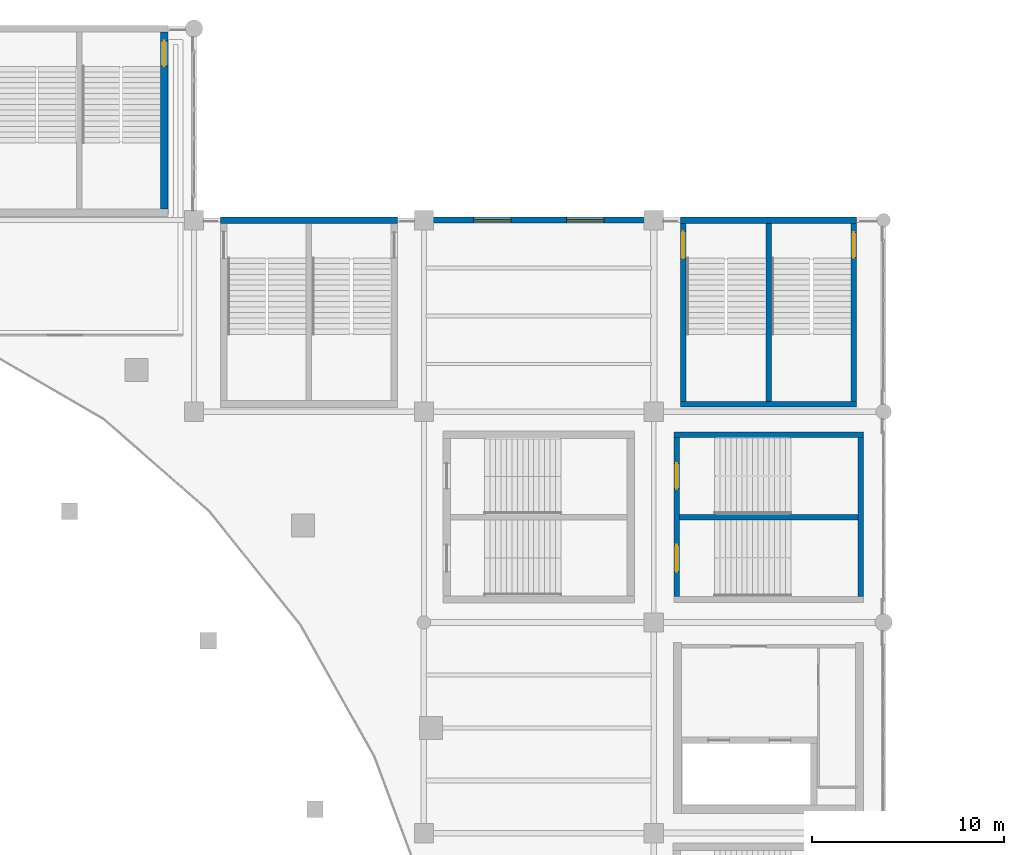
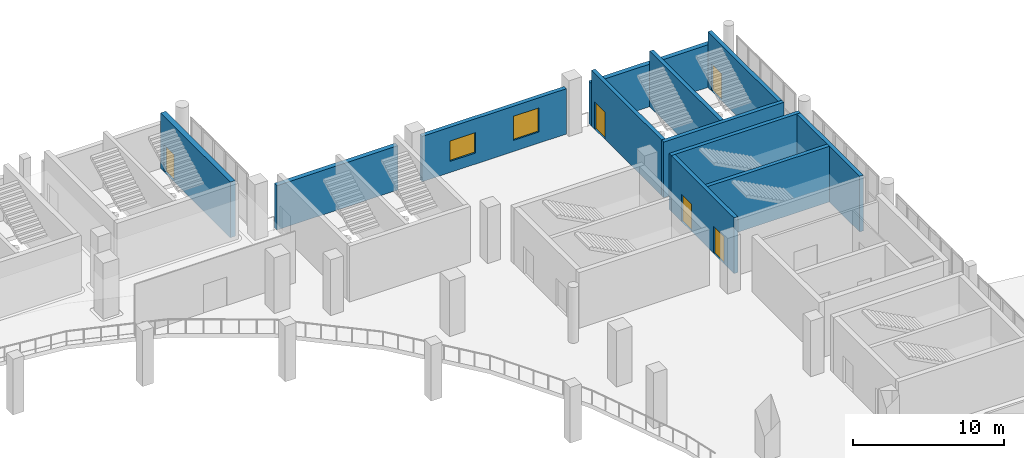
# One storey, part 86 of 108: 12 walls, 5 doors, 2 windows, 7 openings.
"""IFC4 building model written with IfcOpenShell, lengths in metres."""

from ifc_helpers import new_model, si_unit, direction, frame, frame_2d, origin, place, context, subcontext, project, spatial, rectangle, extrude, material, layer, layer_set, type_object, element, fill, save


model = new_model("IFC4")

# Units and contexts
model_context = context("Model", 3, precision=1e-05, world=origin(), true_north=direction((0.0, 1.0)))
body_context = subcontext(model_context, "Body", "Model", "MODEL_VIEW")
ifc_project = project(units=[si_unit("LENGTHUNIT", "METRE"), si_unit("AREAUNIT", "SQUARE_METRE"), si_unit("VOLUMEUNIT", "CUBIC_METRE"), si_unit("PLANEANGLEUNIT", "RADIAN"), si_unit("MASSUNIT", "GRAM", prefix="KILO")], contexts=[model_context])

# Site, building, storey
site_placement = place(None, origin())
site = spatial("IfcSite", under=ifc_project, at=site_placement, CompositionType="ELEMENT")
building_placement = place(site_placement, origin())
building = spatial("IfcBuilding", under=site, at=building_placement, Name="Brinegate Civic Arena", CompositionType="ELEMENT")
storey_placement = place(building_placement, frame((0.0, 0.0, 10.199951171875)))
storey = spatial("IfcBuildingStorey", under=building, at=storey_placement, Name="L02", CompositionType="ELEMENT", Elevation=10.199951171875)

# Wall, opening, door
ifc_material_1 = material(Name="Concrete C50/60", Category="concrete")
ifc_layer_1 = layer(ifc_material_1, 0.389892578125, Name="Concrete C50/60")
ifc_layer_set_1 = layer_set([ifc_layer_1], Name="Concrete C50/60")
wall_type_1 = type_object("IfcWallType", Name="WALL-CORE-SHEAR-390", PredefinedType="SHEAR", material=ifc_layer_set_1)
wall_1_placement = place(storey_placement, frame((130.449951171875, 114.594970703125, 0.0), z_axis=(0.0, 0.0, 1.0), x_axis=(0.0, 1.0, 0.0)))
wall_1 = element("IfcWall", 1, at=wall_1_placement, inside=storey, type_object=wall_type_1, Name="Stair ST-03 East Shear Wall L02 (WBB-75)", PredefinedType="SHEAR", context=body_context, shape_type="SweptSolid", body=[
    extrude(rectangle(XDim=9.22998046875, YDim=0.389892578125, at=frame_2d((4.614990234375, 0.0))), origin(), (0.0, 0.0, 1.0), 4.5),
])
opening_1_placement = place(wall_1_placement, frame((7.445068359375, 0.0, 0.0)))
opening_1 = element("IfcOpeningElement", 2, at=opening_1_placement, cuts=wall_1, Name="Opening D-ST03B-L02", PredefinedType="OPENING", context=body_context, shape_type="SweptSolid", body=[
    extrude(rectangle(XDim=1.320068359375, YDim=2.199951171875, at=frame_2d((0.66015625, 1.10009765625))), frame((0.0, 0.204833984375, 0.0), z_axis=(0.0, -1.0, 0.0), x_axis=(1.0, 0.0, 0.0)), (0.0, 0.0, 1.0), 0.409912109375),
])
ifc_material_2 = material(Name="Galvanized hurricane steel", Category="steel")
door_type_1 = type_object("IfcDoorType", Name="DOOR-STAIR-2200X2200", OperationType="NOTDEFINED", PredefinedType="DOOR", material=ifc_material_2)
door_1_placement = place(opening_1_placement, origin())
door_1 = element("IfcDoor", 3, at=door_1_placement, inside=storey, type_object=door_type_1, Name="Protected Exit Stair Door D-ST03B-L02", OperationType="DOUBLE_DOOR_SINGLE_SWING", OverallHeight=2.199951171875, OverallWidth=1.320068359375, PredefinedType="DOOR", context=body_context, shape_type="SweptSolid", body=[
    extrude(rectangle(XDim=1.320068359375, YDim=2.199951171875, at=frame_2d((0.66015625, 1.10009765625))), frame((0.0, 0.02490234375, 0.0), z_axis=(0.0, -1.0, 0.0), x_axis=(1.0, 0.0, 0.0)), (0.0, 0.0, 1.0), 0.050048828125),
])
fill(opening_1, door_1)

# Wall, openings, windows
ifc_material_3 = material(Name="Precast concrete C45/55", Category="concrete")
ifc_layer_2 = layer(ifc_material_3, 0.31494140625, Name="Precast concrete C45/55")
ifc_layer_set_2 = layer_set([ifc_layer_2], Name="Precast concrete C45/55")
wall_type_2 = type_object("IfcWallType", Name="WALL-EXT-PRECAST-315", PredefinedType="SOLIDWALL", material=ifc_layer_set_2)
wall_2_placement = place(storey_placement, frame((144.485107421875, 114.0, 0.0), z_axis=(0.0, 0.0, 1.0), x_axis=(1.0, 0.0, 0.0)))
wall_2 = element("IfcWall", 4, at=wall_2_placement, inside=storey, type_object=wall_type_2, Name="Perimeter Window Wall L02-11 (WBA-11)", PredefinedType="SOLIDWALL", context=body_context, shape_type="SweptSolid", body=[
    extrude(rectangle(XDim=11.02978515625, YDim=0.31494140625, at=frame_2d((5.514892578125, 0.0))), origin(), (0.0, 0.0, 1.0), 3.6640625),
])
opening_2_placement = place(wall_2_placement, frame((2.113037109375, 0.0, 0.89990234375)))
opening_2 = element("IfcOpeningElement", 5, at=opening_2_placement, cuts=wall_2, Name="Opening WN-0019", PredefinedType="OPENING", context=body_context, shape_type="SweptSolid", body=[
    extrude(rectangle(XDim=1.949951171875, YDim=1.64990234375, at=frame_2d((0.97509765625, 0.824951171875))), frame((0.0, 0.16748046875, 0.0), z_axis=(0.0, -1.0, 0.0), x_axis=(1.0, 0.0, 0.0)), (0.0, 0.0, 1.0), 0.3349609375),
])
opening_3_placement = place(wall_2_placement, frame((6.967041015625, 0.0, 0.89990234375)))
opening_3 = element("IfcOpeningElement", 6, at=opening_3_placement, cuts=wall_2, Name="Opening WN-0020", PredefinedType="OPENING", context=body_context, shape_type="SweptSolid", body=[
    extrude(rectangle(XDim=1.949951171875, YDim=1.949951171875, at=frame_2d((0.97509765625, 0.97509765625))), frame((0.0, 0.16748046875, 0.0), z_axis=(0.0, -1.0, 0.0), x_axis=(1.0, 0.0, 0.0)), (0.0, 0.0, 1.0), 0.3349609375),
])
ifc_material_4 = material(Name="Hurricane laminated low-E glass", Category="glass")
window_type_1 = type_object("IfcWindowType", Name="WIN-CASEMENT-1950X1650", PartitioningType="SINGLE_PANEL", PredefinedType="WINDOW", material=ifc_material_4)
window_1_placement = place(opening_2_placement, origin())
window_1 = element("IfcWindow", 7, at=window_1_placement, inside=storey, type_object=window_type_1, Name="Window WN-0019", OverallHeight=1.64990234375, OverallWidth=1.949951171875, PartitioningType="SINGLE_PANEL", PredefinedType="WINDOW", context=body_context, shape_type="SweptSolid", body=[
    extrude(rectangle(XDim=1.949951171875, YDim=1.64990234375, at=frame_2d((0.97509765625, 0.824951171875))), frame((0.0, 0.030029296875, 0.0), z_axis=(0.0, -1.0, 0.0), x_axis=(1.0, 0.0, 0.0)), (0.0, 0.0, 1.0), 0.06005859375),
])
fill(opening_2, window_1)
window_type_2 = type_object("IfcWindowType", Name="WIN-CASEMENT-1950X1950", PartitioningType="SINGLE_PANEL", PredefinedType="WINDOW", material=ifc_material_4)
window_2_placement = place(opening_3_placement, origin())
window_2 = element("IfcWindow", 8, at=window_2_placement, inside=storey, type_object=window_type_2, Name="Window WN-0020", OverallHeight=1.949951171875, OverallWidth=1.949951171875, PartitioningType="SINGLE_PANEL", PredefinedType="WINDOW", context=body_context, shape_type="SweptSolid", body=[
    extrude(rectangle(XDim=1.949951171875, YDim=1.949951171875, at=frame_2d((0.97509765625, 0.97509765625))), frame((0.0, 0.030029296875, 0.0), z_axis=(0.0, -1.0, 0.0), x_axis=(1.0, 0.0, 0.0)), (0.0, 0.0, 1.0), 0.06005859375),
])
fill(opening_3, window_2)

# Walls
ifc_layer_3 = layer(ifc_material_1, 0.35009765625, Name="Concrete C50/60")
ifc_layer_set_3 = layer_set([ifc_layer_3], Name="Concrete C50/60")
wall_type_3 = type_object("IfcWallType", Name="WALL-EXT-STAIR-SHEAR-350", PredefinedType="SHEAR", material=ifc_layer_set_3)
wall_3_placement = place(storey_placement, frame((157.405029296875, 114.0, 0.0), z_axis=(0.0, 0.0, 1.0), x_axis=(1.0, 0.0, 0.0)))
element("IfcWall", 9, at=wall_3_placement, inside=storey, type_object=wall_type_3, Name="Stair ST-05 North Shear Wall L02 (WBC-29)", PredefinedType="SHEAR", context=body_context, shape_type="SweptSolid", body=[
    extrude(rectangle(XDim=9.18994140625, YDim=0.35009765625, at=frame_2d((4.594970703125, 0.0))), origin(), (0.0, 0.0, 1.0), 3.43701171875),
])
wall_4_placement = place(storey_placement, frame((133.375, 114.0, 0.0), z_axis=(0.0, 0.0, 1.0), x_axis=(1.0, 0.0, 0.0)))
element("IfcWall", 10, at=wall_4_placement, inside=storey, type_object=wall_type_3, Name="Stair ST-13 North Shear Wall L02 (WBE-41)", PredefinedType="SHEAR", context=body_context, shape_type="SweptSolid", body=[
    extrude(rectangle(XDim=9.25, YDim=0.35009765625, at=frame_2d((4.625, 0.0))), origin(), (0.0, 0.0, 1.0), 3.5859375),
])
ifc_layer_4 = layer(ifc_material_1, 0.2900390625, Name="Concrete C50/60")
ifc_layer_set_4 = layer_set([ifc_layer_4], Name="Concrete C50/60")
wall_type_4 = type_object("IfcWallType", Name="WALL-STAIR-SHEAR-290", PredefinedType="SHEAR", material=ifc_layer_set_4)
wall_5_placement = place(storey_placement, frame((157.405029296875, 104.39990234375, 0.0), z_axis=(0.0, 0.0, 1.0), x_axis=(1.0, 0.0, 0.0)))
element("IfcWall", 11, at=wall_5_placement, inside=storey, type_object=wall_type_4, Name="Stair ST-05 South Shear Wall L02 (WBC-28)", PredefinedType="SHEAR", context=body_context, shape_type="SweptSolid", body=[
    extrude(rectangle(XDim=9.18994140625, YDim=0.2900390625, at=frame_2d((4.594970703125, 0.0))), origin(), (0.0, 0.0, 1.0), 4.5),
])

# Wall, opening, door
wall_6_placement = place(storey_placement, frame((157.550048828125, 104.544921875, 0.0), z_axis=(0.0, 0.0, 1.0), x_axis=(0.0, 1.0, 0.0)))
wall_6 = element("IfcWall", 12, at=wall_6_placement, inside=storey, type_object=wall_type_4, Name="Stair ST-05 West Shear Wall L02 (WBC-30)", PredefinedType="SHEAR", context=body_context, shape_type="SweptSolid", body=[
    extrude(rectangle(XDim=9.280029296875, YDim=0.2900390625, at=frame_2d((4.64013671875, 0.0))), origin(), (0.0, 0.0, 1.0), 4.5),
])
opening_4_placement = place(wall_6_placement, frame((7.455078125, 0.0, 0.0)))
opening_4 = element("IfcOpeningElement", 13, at=opening_4_placement, cuts=wall_6, Name="Opening D-ST05A-L02", PredefinedType="OPENING", context=body_context, shape_type="SweptSolid", body=[
    extrude(rectangle(XDim=1.39990234375, YDim=2.199951171875, at=frame_2d((0.699951171875, 1.10009765625))), frame((0.0, 0.155029296875, 0.0), z_axis=(0.0, -1.0, 0.0), x_axis=(1.0, 0.0, 0.0)), (0.0, 0.0, 1.0), 0.31005859375),
])
door_type_2 = type_object("IfcDoorType", Name="DOOR-STAIR-2400X2200", OperationType="NOTDEFINED", PredefinedType="DOOR", material=ifc_material_2)
door_2_placement = place(opening_4_placement, frame((1.39990234375, 0.0, 0.0), z_axis=(0.0, 0.0, 1.0), x_axis=(-1.0, 0.0, 0.0)))
door_2 = element("IfcDoor", 14, at=door_2_placement, inside=storey, type_object=door_type_2, Name="Protected Exit Stair Door D-ST05A-L02", OperationType="DOUBLE_DOOR_SINGLE_SWING", OverallHeight=2.199951171875, OverallWidth=1.39990234375, PredefinedType="DOOR", context=body_context, shape_type="SweptSolid", body=[
    extrude(rectangle(XDim=1.39990234375, YDim=2.199951171875, at=frame_2d((0.699951171875, 1.10009765625))), frame((0.0, 0.02490234375, 0.0), z_axis=(0.0, -1.0, 0.0), x_axis=(1.0, 0.0, 0.0)), (0.0, 0.0, 1.0), 0.050048828125),
])
fill(opening_4, door_2)

wall_7_placement = place(storey_placement, frame((166.449951171875, 104.544921875, 0.0), z_axis=(0.0, 0.0, 1.0), x_axis=(0.0, 1.0, 0.0)))
wall_7 = element("IfcWall", 15, at=wall_7_placement, inside=storey, type_object=wall_type_4, Name="Stair ST-05 East Shear Wall L02 (WBC-31)", PredefinedType="SHEAR", context=body_context, shape_type="SweptSolid", body=[
    extrude(rectangle(XDim=9.280029296875, YDim=0.2900390625, at=frame_2d((4.64013671875, 0.0))), origin(), (0.0, 0.0, 1.0), 4.5),
])
opening_5_placement = place(wall_7_placement, frame((7.4951171875, 0.0, 0.0)))
opening_5 = element("IfcOpeningElement", 16, at=opening_5_placement, cuts=wall_7, Name="Opening D-ST05B-L02", PredefinedType="OPENING", context=body_context, shape_type="SweptSolid", body=[
    extrude(rectangle(XDim=1.320068359375, YDim=2.199951171875, at=frame_2d((0.66015625, 1.10009765625))), frame((0.0, 0.155029296875, 0.0), z_axis=(0.0, -1.0, 0.0), x_axis=(1.0, 0.0, 0.0)), (0.0, 0.0, 1.0), 0.31005859375),
])
door_3_placement = place(opening_5_placement, origin())
door_3 = element("IfcDoor", 17, at=door_3_placement, inside=storey, type_object=door_type_1, Name="Protected Exit Stair Door D-ST05B-L02", OperationType="DOUBLE_DOOR_SINGLE_SWING", OverallHeight=2.199951171875, OverallWidth=1.320068359375, PredefinedType="DOOR", context=body_context, shape_type="SweptSolid", body=[
    extrude(rectangle(XDim=1.320068359375, YDim=2.199951171875, at=frame_2d((0.66015625, 1.10009765625))), frame((0.0, 0.02490234375, 0.0), z_axis=(0.0, -1.0, 0.0), x_axis=(1.0, 0.0, 0.0)), (0.0, 0.0, 1.0), 0.050048828125),
])
fill(opening_5, door_3)

# Walls
wall_8_placement = place(storey_placement, frame((162.0, 104.544921875, 0.0), z_axis=(0.0, 0.0, 1.0), x_axis=(0.0, 1.0, 0.0)))
element("IfcWall", 18, at=wall_8_placement, inside=storey, type_object=wall_type_4, Name="Stair ST-05 Central Dividing Shear Wall L02 (WBC-32)", PredefinedType="SHEAR", context=body_context, shape_type="SweptSolid", body=[
    extrude(rectangle(XDim=9.280029296875, YDim=0.2900390625, at=frame_2d((4.64013671875, 0.0))), origin(), (0.0, 0.0, 1.0), 4.5),
])
wall_9_placement = place(storey_placement, frame((157.054931640625, 102.800048828125, 0.0), z_axis=(0.0, 0.0, 1.0), x_axis=(1.0, 0.0, 0.0)))
element("IfcWall", 19, at=wall_9_placement, inside=storey, type_object=wall_type_4, Name="Stair ST-20 North Shear Wall L02 (WBL-62)", PredefinedType="SHEAR", context=body_context, shape_type="SweptSolid", body=[
    extrude(rectangle(XDim=9.89013671875, YDim=0.2900390625, at=frame_2d((4.945068359375, 0.0))), origin(), (0.0, 0.0, 1.0), 4.5),
])

# Wall, openings, doors
wall_10_placement = place(storey_placement, frame((157.199951171875, 94.344970703125, 0.0), z_axis=(0.0, 0.0, 1.0), x_axis=(0.0, 1.0, 0.0)))
wall_10 = element("IfcWall", 20, at=wall_10_placement, inside=storey, type_object=wall_type_4, Name="Stair ST-20 West Shear Wall L02 (WBL-63)", PredefinedType="SHEAR", context=body_context, shape_type="SweptSolid", body=[
    extrude(rectangle(XDim=8.31005859375, YDim=0.2900390625, at=frame_2d((4.155029296875, 0.0))), origin(), (0.0, 0.0, 1.0), 4.5),
])
opening_6_placement = place(wall_10_placement, frame((1.304931640625, 0.0, 0.0)))
opening_6 = element("IfcOpeningElement", 21, at=opening_6_placement, cuts=wall_10, Name="Opening D-ST20A-L02", PredefinedType="OPENING", context=body_context, shape_type="SweptSolid", body=[
    extrude(rectangle(XDim=1.39990234375, YDim=2.199951171875, at=frame_2d((0.699951171875, 1.10009765625))), frame((0.0, 0.155029296875, 0.0), z_axis=(0.0, -1.0, 0.0), x_axis=(1.0, 0.0, 0.0)), (0.0, 0.0, 1.0), 0.31005859375),
])
opening_7_placement = place(wall_10_placement, frame((5.64501953125, 0.0, 0.0)))
opening_7 = element("IfcOpeningElement", 22, at=opening_7_placement, cuts=wall_10, Name="Opening D-ST20B-L02", PredefinedType="OPENING", context=body_context, shape_type="SweptSolid", body=[
    extrude(rectangle(XDim=1.320068359375, YDim=2.199951171875, at=frame_2d((0.66015625, 1.10009765625))), frame((0.0, 0.155029296875, 0.0), z_axis=(0.0, -1.0, 0.0), x_axis=(1.0, 0.0, 0.0)), (0.0, 0.0, 1.0), 0.31005859375),
])
door_4_placement = place(opening_7_placement, origin())
door_4 = element("IfcDoor", 23, at=door_4_placement, inside=storey, type_object=door_type_1, Name="Protected Exit Stair Door D-ST20B-L02", OperationType="DOUBLE_DOOR_SINGLE_SWING", OverallHeight=2.199951171875, OverallWidth=1.320068359375, PredefinedType="DOOR", context=body_context, shape_type="SweptSolid", body=[
    extrude(rectangle(XDim=1.320068359375, YDim=2.199951171875, at=frame_2d((0.66015625, 1.10009765625))), frame((0.0, 0.02490234375, 0.0), z_axis=(0.0, -1.0, 0.0), x_axis=(1.0, 0.0, 0.0)), (0.0, 0.0, 1.0), 0.050048828125),
])
fill(opening_7, door_4)
door_5_placement = place(opening_6_placement, origin())
door_5 = element("IfcDoor", 24, at=door_5_placement, inside=storey, type_object=door_type_2, Name="Protected Exit Stair Door D-ST20A-L02", OperationType="DOUBLE_DOOR_SINGLE_SWING", OverallHeight=2.199951171875, OverallWidth=1.39990234375, PredefinedType="DOOR", context=body_context, shape_type="SweptSolid", body=[
    extrude(rectangle(XDim=1.39990234375, YDim=2.199951171875, at=frame_2d((0.699951171875, 1.10009765625))), frame((0.0, 0.02490234375, 0.0), z_axis=(0.0, -1.0, 0.0), x_axis=(1.0, 0.0, 0.0)), (0.0, 0.0, 1.0), 0.050048828125),
])
fill(opening_6, door_5)

# Walls
wall_11_placement = place(storey_placement, frame((166.800048828125, 94.344970703125, 0.0), z_axis=(0.0, 0.0, 1.0), x_axis=(0.0, 1.0, 0.0)))
element("IfcWall", 25, at=wall_11_placement, inside=storey, type_object=wall_type_4, Name="Stair ST-20 East Shear Wall L02 (WBL-64)", PredefinedType="SHEAR", context=body_context, shape_type="SweptSolid", body=[
    extrude(rectangle(XDim=8.31005859375, YDim=0.2900390625, at=frame_2d((4.155029296875, 0.0))), origin(), (0.0, 0.0, 1.0), 4.5),
])
wall_12_placement = place(storey_placement, frame((157.344970703125, 98.5, 0.0), z_axis=(0.0, 0.0, 1.0), x_axis=(1.0, 0.0, 0.0)))
element("IfcWall", 26, at=wall_12_placement, inside=storey, type_object=wall_type_4, Name="Stair ST-20 Central Dividing Shear Wall L02 (WBL-65)", PredefinedType="SHEAR", context=body_context, shape_type="SweptSolid", body=[
    extrude(rectangle(XDim=9.31005859375, YDim=0.2900390625, at=frame_2d((4.655029296875, 0.0))), origin(), (0.0, 0.0, 1.0), 4.5),
])

save(model, "model.ifc")
